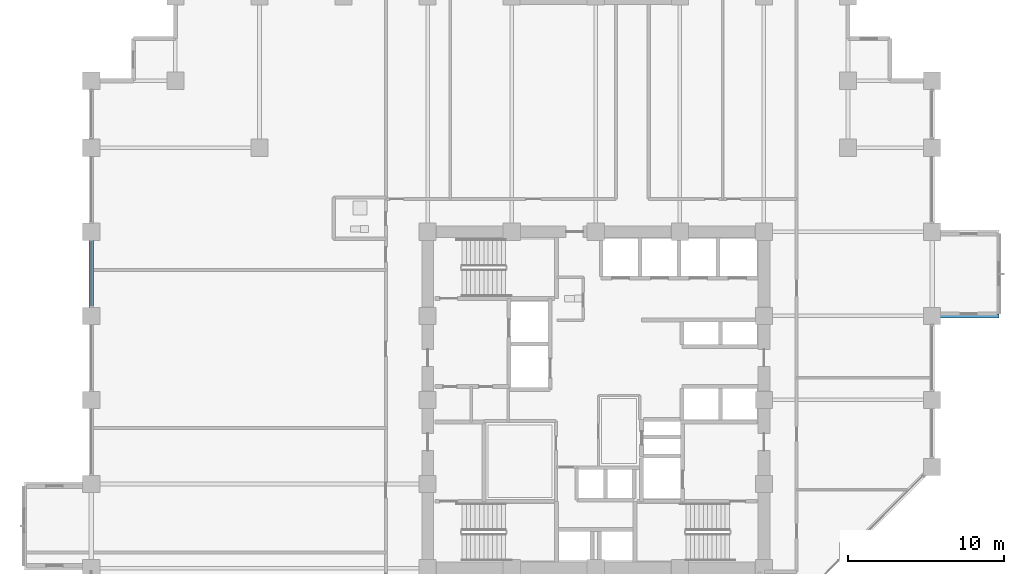
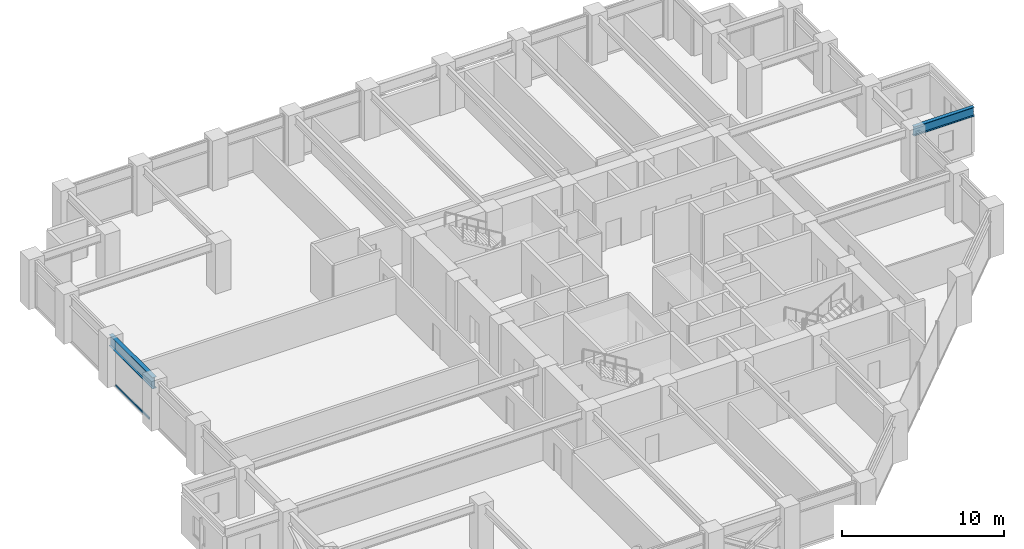
# One storey, part 11 of 29: 2 beams, 1 member, 1 element without a shape of its own.
"""IFC4 building model written with IfcOpenShell, lengths in metres."""

from ifc_helpers import new_model, si_unit, direction, frame, origin, origin_2d, place, context, subcontext, project, spatial, hollow_rectangle, i_section, extrude, material, layer, layer_set, material_profile, profile_set, type_object, element, aggregate, save


model = new_model("IFC4")

# Units and contexts
model_context = context("Model", 3, precision=1e-05, world=origin(), true_north=direction((0.0, 1.0)))
body_context = subcontext(model_context, "Body", "Model", "MODEL_VIEW")
ifc_project = project(units=[si_unit("LENGTHUNIT", "METRE"), si_unit("AREAUNIT", "SQUARE_METRE"), si_unit("VOLUMEUNIT", "CUBIC_METRE"), si_unit("PLANEANGLEUNIT", "RADIAN"), si_unit("MASSUNIT", "GRAM", prefix="KILO")], contexts=[model_context])

# Site, building, storey
site_placement = place(None, origin())
site = spatial("IfcSite", under=ifc_project, at=site_placement, CompositionType="ELEMENT")
building_placement = place(site_placement, origin())
building = spatial("IfcBuilding", under=site, at=building_placement, Name="Surkhivell Harbour Commons", CompositionType="ELEMENT")
storey_placement = place(building_placement, frame((0.0, 0.0, 90.75)))
storey = spatial("IfcBuildingStorey", under=building, at=storey_placement, Name="L23", CompositionType="ELEMENT", Elevation=90.75)

# Beams
ifc_material_1 = material(Name="Steel S460", Category="steel")
ifc_material_profile_1 = material_profile(ifc_material_1, i_section(OverallWidth=0.256103515625, OverallDepth=0.693115234375, WebThickness=0.014404296875, FlangeThickness=0.023681640625, at=origin_2d()), Name="UB686x254x170")
ifc_profile_set_1 = profile_set([ifc_material_profile_1], Name="Steel S460")
beam_type_1 = type_object("IfcBeamType", Name="BM-CNT-686", PredefinedType="BEAM", material=ifc_profile_set_1)
beam_1_placement = place(storey_placement, frame((21.60009765625, 5.39990234375, 3.223388671875), z_axis=(1.0, 0.0, 0.0), x_axis=(0.0, 1.0, 0.0)))
element("IfcBeam", 1, at=beam_1_placement, inside=storey, type_object=beam_type_1, Name="L23 Box Cantilever Outrigger (21.6,5.4)", PredefinedType="BEAM", context=body_context, shape_type="SweptSolid", body=[
    extrude(i_section(OverallWidth=0.256103515625, OverallDepth=0.693115234375, WebThickness=0.014404296875, FlangeThickness=0.023681640625, at=origin_2d()), origin(), (0.0, 0.0, 1.0), 4.2998046875),
])
ifc_material_profile_2 = material_profile(ifc_material_1, i_section(OverallWidth=0.2939453125, OverallDepth=0.85107421875, WebThickness=0.01611328125, FlangeThickness=0.02685546875, at=origin_2d()), Name="UB838x292x226")
ifc_profile_set_2 = profile_set([ifc_material_profile_2], Name="Steel S460")
beam_type_2 = type_object("IfcBeamType", Name="BM-SPN-838", PredefinedType="SPANDREL", material=ifc_profile_set_2)
beam_2_placement = place(storey_placement, frame((-32.39990234375, 5.39990234375, 3.14453125), z_axis=(0.0, 1.0, 0.0), x_axis=(-1.0, 0.0, 0.0)))
element("IfcBeam", 2, at=beam_2_placement, inside=storey, type_object=beam_type_2, Name="L23 Tube Spandrel (-32.4,5.4)", PredefinedType="SPANDREL", context=body_context, shape_type="SweptSolid", body=[
    extrude(i_section(OverallWidth=0.2939453125, OverallDepth=0.85107421875, WebThickness=0.01611328125, FlangeThickness=0.02685546875, at=origin_2d()), origin(), (0.0, 0.0, 1.0), 5.400146484375),
])

# Curtain wall, member
ifc_material_2 = material(Name="Anodised pale-metal aluminium and insulated glazing", Category="aluminium")
ifc_layer = layer(ifc_material_2, 0.205078125)
ifc_layer_set = layer_set([ifc_layer], Name="Anodised pale-metal aluminium and insulated glazing")
curtain_wall_type = type_object("IfcCurtainWallType", Name="CW-SYS-Z2", PredefinedType="NOTDEFINED", material=ifc_layer_set)
curtain_wall_placement = place(storey_placement, origin())
curtain_wall = element("IfcCurtainWall", 3, at=curtain_wall_placement, inside=storey, type_object=curtain_wall_type, Name="L23 Curtain Wall CW-L23-E12R2", PredefinedType="NOTDEFINED")
ifc_material_3 = material(Name="Anodised pale-metal aluminium alloy 6063-T6", Category="aluminium")
ifc_material_profile_3 = material_profile(ifc_material_3, hollow_rectangle(XDim=0.074951171875, YDim=0.14990234375, WallThickness=0.00341796875, at=origin_2d()), Name="ALU-TRAN-75x150")
ifc_profile_set_3 = profile_set([ifc_material_profile_3], Name="Anodised pale-metal aluminium alloy 6063-T6")
member_type = type_object("IfcMemberType", Name="CWT-150", PredefinedType="USERDEFINED", material=ifc_profile_set_3)
member_placement = place(storey_placement, frame((-32.39990234375, 6.027099609375, 0.074951171875), z_axis=(0.0, 1.0, 0.0), x_axis=(-1.0, 0.0, 0.0)))
member = element("IfcMember", 4, at=member_placement, type_object=member_type, Name="CW-Z2 transom 3.1", ObjectType="TRANSOM", PredefinedType="USERDEFINED", context=body_context, shape_type="SweptSolid", body=[
    extrude(hollow_rectangle(XDim=0.074951171875, YDim=0.14990234375, WallThickness=0.00341796875, at=origin_2d()), origin(), (0.0, 0.0, 1.0), 4.14599609375),
])
aggregate(curtain_wall, [member])

save(model, "model.ifc")
